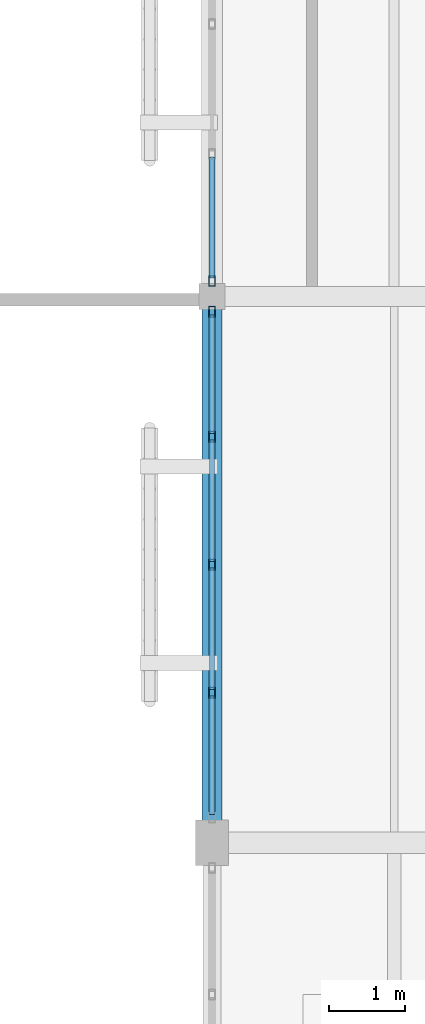
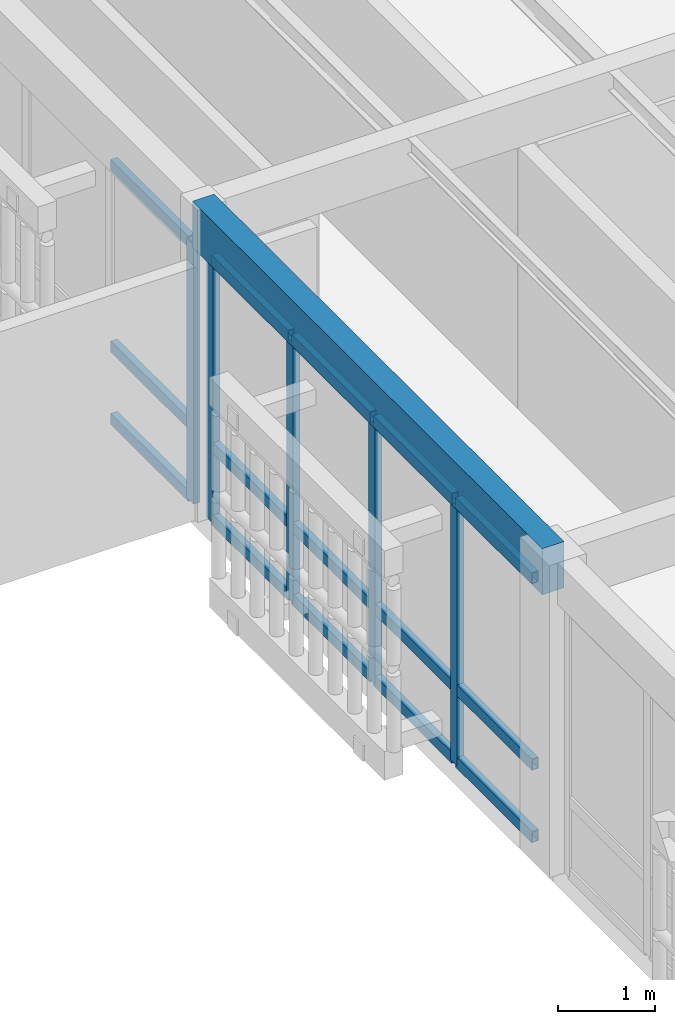
# One storey, part 32 of 112: 20 members, 1 beam, 2 elements without a shape of their own.
"""IFC4 building model written with IfcOpenShell, lengths in metres."""

import ifcopenshell
import ifcopenshell.guid

model = None  # the IFC model being written
_history = None  # IfcOwnerHistory: only IFC2X3 demands one
_inside = {}  # id of a spatial element -> (the spatial element, [elements in it])
_under = {}  # id of a project, library or spatial element -> (it, [spatial elements below it])
_declared = {}  # id of a project -> (the project, [libraries it declares])
_typed = {}  # id of a type object -> (the type object, [elements of that type])
_made_of = {}  # id of a material, layer set ... -> (it, [elements and type objects made of it])


def new_model(schema):
    """Start an empty IFC model of exactly this schema.

    Asked for "IFC4X3", IfcOpenShell would pick the latest addendum, in which some entities
    have other attributes; the version numbers below select the first issue.
    IFC2X3 requires an IfcOwnerHistory on every rooted entity: one is made here for all.
    """
    global model, _history
    if schema == "IFC4X3":
        model = ifcopenshell.file(schema_version=(4, 3, 0, 0))
    else:
        model = ifcopenshell.file(schema=schema)
    _inside.clear()
    _under.clear()
    _declared.clear()
    _typed.clear()
    _made_of.clear()
    _history = None
    if model.schema == "IFC2X3":
        org = make("IfcOrganization", Name="unknown")
        user = make(
            "IfcPersonAndOrganization",
            ThePerson=make("IfcPerson", FamilyName="unknown"),
            TheOrganization=org,
        )
        app = make(
            "IfcApplication",
            ApplicationDeveloper=org,
            Version="unknown",
            ApplicationFullName="unknown",
            ApplicationIdentifier="unknown",
        )
        _history = make(
            "IfcOwnerHistory",
            OwningUser=user,
            OwningApplication=app,
            ChangeAction="ADDED",
            CreationDate=0,
        )
    return model


def make(cls, **values):
    """One entity of the class cls with the attributes given. An attribute that is None is left unset."""
    return model.create_entity(
        cls, **{name: value for name, value in values.items() if value is not None}
    )


def rooted(cls, **values):
    """An entity with a GlobalId (a new one), such as an element, a storey or a relation."""
    return make(cls, GlobalId=ifcopenshell.guid.new(), OwnerHistory=_history, **values)


def si_unit(unit_type, name, prefix=None):
    """IfcSIUnit, for example si_unit("LENGTHUNIT", "METRE", prefix="MILLI")."""
    return make("IfcSIUnit", UnitType=unit_type, Prefix=prefix, Name=name)


def assignment(units):
    """IfcUnitAssignment: the units of a project."""
    return None if units is None else make("IfcUnitAssignment", Units=units)


def point(xyz):
    """IfcCartesianPoint."""
    return None if xyz is None else make("IfcCartesianPoint", Coordinates=xyz)


def direction(xyz):
    """IfcDirection."""
    return None if xyz is None else make("IfcDirection", DirectionRatios=xyz)


def frame(location, z_axis=None, x_axis=None):
    """IfcAxis2Placement3D, a coordinate frame: its origin and axes. An axis left out is left unset."""
    return make(
        "IfcAxis2Placement3D",
        Location=point(location),
        Axis=direction(z_axis),
        RefDirection=direction(x_axis),
    )


def frame_2d(location, x_axis=None):
    """IfcAxis2Placement2D, a coordinate frame in the plane: its origin and x axis."""
    return make(
        "IfcAxis2Placement2D", Location=point(location), RefDirection=direction(x_axis)
    )


def origin():
    """The frame at (0, 0, 0) with its axes left unset."""
    return frame((0.0, 0.0, 0.0))


def origin_2d():
    """The frame at (0, 0) in the plane with its x axis left unset."""
    return frame_2d((0.0, 0.0))


def place(relative_to, where):
    """IfcLocalPlacement: puts the frame where relative to a parent placement (None: the world)."""
    return make(
        "IfcLocalPlacement", PlacementRelTo=relative_to, RelativePlacement=where
    )


def context(
    kind, dimensions, precision=None, world=None, true_north=None, identifier=None
):
    """IfcGeometricRepresentationContext, for example the 3D "Model" context."""
    return make(
        "IfcGeometricRepresentationContext",
        ContextIdentifier=identifier,
        ContextType=kind,
        CoordinateSpaceDimension=dimensions,
        Precision=precision,
        WorldCoordinateSystem=world,
        TrueNorth=true_north,
    )


def subcontext(parent, identifier, kind, view, scale=None):
    """IfcGeometricRepresentationSubContext, for example "Body" below "Model"."""
    return make(
        "IfcGeometricRepresentationSubContext",
        ContextIdentifier=identifier,
        ContextType=kind,
        ParentContext=parent,
        TargetScale=scale,
        TargetView=view,
    )


def project(units=None, contexts=None):
    """IfcProject with its units and contexts."""
    return rooted(
        "IfcProject",
        Name="project",
        RepresentationContexts=contexts,
        UnitsInContext=assignment(units),
    )


def spatial(cls, under=None, at=None, **own):
    """A site, building, storey or space (cls), placed at a placement, below another one or the project."""
    s = rooted(cls, ObjectPlacement=at, **own)
    if under is not None:
        _under.setdefault(under.id(), (under, []))[1].append(s)
    return s


def profile(cls, at=None, kind="AREA", **sizes):
    """A parametric profile (cls). Its sizes go by their IFC names, for example OverallWidth=200.0."""
    return make(cls, ProfileType=kind, Position=at, **sizes)


def rectangle(**sizes):
    """IfcRectangleProfileDef."""
    return profile("IfcRectangleProfileDef", **sizes)


def hollow_rectangle(**sizes):
    """IfcRectangleHollowProfileDef."""
    return profile("IfcRectangleHollowProfileDef", **sizes)


def extrude(swept, where, along, depth):
    """IfcExtrudedAreaSolid: the profile swept, set in the frame where, extruded along a direction by depth."""
    return make(
        "IfcExtrudedAreaSolid",
        SweptArea=swept,
        Position=where,
        ExtrudedDirection=direction(along),
        Depth=depth,
    )


def shape(context_of_items, identifier, shape_type, items):
    """IfcShapeRepresentation: the items that make up one representation, for example the "Body"."""
    return make(
        "IfcShapeRepresentation",
        ContextOfItems=context_of_items,
        RepresentationIdentifier=identifier,
        RepresentationType=shape_type,
        Items=items,
    )


def material(Name=None, Category=None):
    """IfcMaterial."""
    return make("IfcMaterial", Name=Name, Category=Category)


def layer(
    of_material, thickness, ventilated=None, Name=None, Category=None, Priority=None
):
    """IfcMaterialLayer: one layer of a wall or slab, of a material (None: an air gap)."""
    return make(
        "IfcMaterialLayer",
        Material=of_material,
        LayerThickness=thickness,
        IsVentilated=ventilated,
        Name=Name,
        Category=Category,
        Priority=Priority,
    )


def layer_set(layers, Name=None):
    """IfcMaterialLayerSet."""
    return make("IfcMaterialLayerSet", MaterialLayers=layers, LayerSetName=Name)


def material_profile(
    of_material, cross_section, Name=None, Category=None, Priority=None
):
    """IfcMaterialProfile: a cross section and its material."""
    return make(
        "IfcMaterialProfile",
        Name=Name,
        Material=of_material,
        Profile=cross_section,
        Priority=Priority,
        Category=Category,
    )


def profile_set(profiles, Name=None, composite=None):
    """IfcMaterialProfileSet."""
    return make(
        "IfcMaterialProfileSet",
        Name=Name,
        MaterialProfiles=profiles,
        CompositeProfile=composite,
    )


def made_of(thing, what):
    """Note that an element or type object is made of a material, layer set ...; save() writes the relation."""
    if what is not None:
        _made_of.setdefault(what.id(), (what, []))[1].append(thing)
    return thing


def type_object(cls, material=None, **own):
    """A type object (cls), such as IfcWallType, which elements share."""
    return made_of(rooted(cls, **own), material)


def element(
    cls,
    number,
    at=None,
    inside=None,
    cuts=None,
    type_object=None,
    material=None,
    context=None,
    identifier="Body",
    shape_type=None,
    held_by="IfcProductDefinitionShape",
    body=None,
    shapes=None,
    **own,
):
    """One element of the class cls, such as IfcWall. Its Tag is "e" and its number.

    at: its placement. inside: the storey or other place that contains it. cuts: it is an
    opening in that element (IfcRelVoidsElement). A single representation is given by context,
    identifier, shape_type and body (its items); several are given by shapes. held_by: the class
    of the entity that holds the representations. save() writes the other relations.
    """
    e = rooted(cls, Tag="e%d" % number, ObjectPlacement=at, **own)
    if body is not None:
        shapes = [shape(context, identifier, shape_type, body)]
    if shapes is not None:
        e.Representation = make(held_by, Representations=shapes)
    if inside is not None:
        _inside.setdefault(inside.id(), (inside, []))[1].append(e)
    if cuts is not None:
        rooted(
            "IfcRelVoidsElement", RelatingBuildingElement=cuts, RelatedOpeningElement=e
        )
    if type_object is not None:
        _typed.setdefault(type_object.id(), (type_object, []))[1].append(e)
    return made_of(e, material)


def aggregate(whole, parts):
    """IfcRelAggregates: a whole, such as a stair, and the parts it consists of."""
    return rooted("IfcRelAggregates", RelatingObject=whole, RelatedObjects=parts)


def save(model, path):
    """Write the relations noted so far, then the file.

    IfcRelAggregates (storeys below a building ...), IfcRelContainedInSpatialStructure (elements
    in a storey), IfcRelDefinesByType, IfcRelAssociatesMaterial and IfcRelDeclares: one each for
    every whole, place, type object, material and project.
    """
    for whole, parts in _under.values():
        aggregate(whole, parts)
    for where, things in _inside.values():
        rooted(
            "IfcRelContainedInSpatialStructure",
            RelatedElements=things,
            RelatingStructure=where,
        )
    for kind, things in _typed.values():
        rooted("IfcRelDefinesByType", RelatedObjects=things, RelatingType=kind)
    for what, things in _made_of.values():
        rooted("IfcRelAssociatesMaterial", RelatedObjects=things, RelatingMaterial=what)
    for by, libraries in _declared.values():
        rooted("IfcRelDeclares", RelatingContext=by, RelatedDefinitions=libraries)
    model.write(path)


model = new_model("IFC4")

# Units and contexts
model_context = context("Model", 3, precision=1e-05, world=origin(), true_north=direction((0.0, 1.0)))
body_context = subcontext(model_context, "Body", "Model", "MODEL_VIEW")
ifc_project = project(units=[si_unit("LENGTHUNIT", "METRE"), si_unit("AREAUNIT", "SQUARE_METRE"), si_unit("VOLUMEUNIT", "CUBIC_METRE"), si_unit("PLANEANGLEUNIT", "RADIAN"), si_unit("MASSUNIT", "GRAM", prefix="KILO")], contexts=[model_context])

# Site, building, storey
site_placement = place(None, origin())
site = spatial("IfcSite", under=ifc_project, at=site_placement, CompositionType="ELEMENT")
building_placement = place(site_placement, origin())
building = spatial("IfcBuilding", under=site, at=building_placement, Name="Mazaris Harbour Polytechnic", CompositionType="ELEMENT")
storey_placement = place(building_placement, frame((0.0, 0.0, 13.800048828125)))
storey = spatial("IfcBuildingStorey", under=building, at=storey_placement, Name="L03", CompositionType="ELEMENT", Elevation=13.800048828125)

# Curtain wall, members
ifc_material_1 = material(Name="Anodised Bronze Aluminium and Low-E Glass", Category="aluminium")
ifc_layer = layer(ifc_material_1, 0.159912109375, Name="Anodised Bronze Aluminium and Low-E Glass")
ifc_layer_set = layer_set([ifc_layer], Name="Anodised Bronze Aluminium and Low-E Glass")
curtain_wall_type = type_object("IfcCurtainWallType", Name="Cloister Court Curtain Wall", PredefinedType="NOTDEFINED", material=ifc_layer_set)
curtain_wall_1_placement = place(storey_placement, origin())
curtain_wall_1 = element("IfcCurtainWall", 1, at=curtain_wall_1_placement, inside=storey, type_object=curtain_wall_type, Name="V4 L03 Curtain Wall 160", PredefinedType="NOTDEFINED")
ifc_material_2 = material(Name="Anodised Bronze Steel S355", Category="steel")
ifc_material_profile_1 = material_profile(ifc_material_2, hollow_rectangle(XDim=0.080078125, YDim=0.139892578125, WallThickness=0.00634765625, at=origin_2d()), Name="RHS 80x140x6.3")
ifc_profile_set_1 = profile_set([ifc_material_profile_1], Name="Anodised Bronze Steel S355")
member_type_1 = type_object("IfcMemberType", Name="Curtain Mullion RHS80x140", PredefinedType="MULLION", material=ifc_profile_set_1)
member_1_placement = place(storey_placement, frame((28.800048828125, 60.998046875, 0.0), z_axis=(0.0, 0.0, 1.0), x_axis=(1.0, 0.0, 0.0)))
member_1 = element("IfcMember", 2, at=member_1_placement, type_object=member_type_1, Name="CW-02 mullion 1", PredefinedType="MULLION", context=body_context, shape_type="SweptSolid", body=[
    extrude(hollow_rectangle(XDim=0.080078125, YDim=0.139892578125, WallThickness=0.00634765625, at=origin_2d()), origin(), (0.0, 0.0, 1.0), 3.329833984375),
])
member_2_placement = place(storey_placement, frame((28.800048828125, 59.3515625, 0.0), z_axis=(0.0, 0.0, 1.0), x_axis=(1.0, 0.0, 0.0)))
member_2 = element("IfcMember", 3, at=member_2_placement, type_object=member_type_1, Name="CW-02 mullion 2", PredefinedType="MULLION", context=body_context, shape_type="SweptSolid", body=[
    extrude(hollow_rectangle(XDim=0.080078125, YDim=0.139892578125, WallThickness=0.00634765625, at=origin_2d()), origin(), (0.0, 0.0, 1.0), 3.329833984375),
])
member_3_placement = place(storey_placement, frame((28.800048828125, 57.6650390625, 0.0), z_axis=(0.0, 0.0, 1.0), x_axis=(1.0, 0.0, 0.0)))
member_3 = element("IfcMember", 4, at=member_3_placement, type_object=member_type_1, Name="CW-02 mullion 3", PredefinedType="MULLION", context=body_context, shape_type="SweptSolid", body=[
    extrude(hollow_rectangle(XDim=0.080078125, YDim=0.139892578125, WallThickness=0.00634765625, at=origin_2d()), origin(), (0.0, 0.0, 1.0), 3.329833984375),
])
member_4_placement = place(storey_placement, frame((28.800048828125, 55.978515625, 0.0), z_axis=(0.0, 0.0, 1.0), x_axis=(1.0, 0.0, 0.0)))
member_4 = element("IfcMember", 5, at=member_4_placement, type_object=member_type_1, Name="CW-02 mullion 4", PredefinedType="MULLION", context=body_context, shape_type="SweptSolid", body=[
    extrude(hollow_rectangle(XDim=0.080078125, YDim=0.139892578125, WallThickness=0.00634765625, at=origin_2d()), origin(), (0.0, 0.0, 1.0), 3.329833984375),
])

# Curtain wall, member
curtain_wall_2_placement = place(storey_placement, origin())
curtain_wall_2 = element("IfcCurtainWall", 6, at=curtain_wall_2_placement, inside=storey, type_object=curtain_wall_type, Name="V4 L03 Curtain Wall 161", PredefinedType="NOTDEFINED")
member_5_placement = place(storey_placement, frame((28.800048828125, 61.402099609375, 0.0), z_axis=(0.0, 0.0, 1.0), x_axis=(1.0, 0.0, 0.0)))
member_5 = element("IfcMember", 7, at=member_5_placement, type_object=member_type_1, Name="CW-02 mullion 5", PredefinedType="MULLION", context=body_context, shape_type="SweptSolid", body=[
    extrude(hollow_rectangle(XDim=0.080078125, YDim=0.139892578125, WallThickness=0.00634765625, at=origin_2d()), origin(), (0.0, 0.0, 1.0), 3.27001953125),
])

# Member
ifc_material_3 = material(Name="Anodised Bronze Steel S355", Category="steel")
ifc_material_profile_2 = material_profile(ifc_material_3, hollow_rectangle(XDim=0.080078125, YDim=0.139892578125, WallThickness=0.00634765625, at=origin_2d()), Name="RHS 80x140x6.3")
ifc_profile_set_2 = profile_set([ifc_material_profile_2], Name="Anodised Bronze Steel S355")
member_type_2 = type_object("IfcMemberType", Name="Curtain Transom RHS80x140", PredefinedType="USERDEFINED", material=ifc_profile_set_2)
member_6_placement = place(storey_placement, frame((28.800048828125, 60.9580078125, 0.0400390625), z_axis=(0.0, -1.0, 0.0), x_axis=(1.0, 0.0, 0.0)))
member_6 = element("IfcMember", 8, at=member_6_placement, type_object=member_type_2, Name="CW-02 transom 1.1", ObjectType="TRANSOM", PredefinedType="USERDEFINED", context=body_context, shape_type="SweptSolid", body=[
    extrude(hollow_rectangle(XDim=0.080078125, YDim=0.139892578125, WallThickness=0.00634765625, at=origin_2d()), origin(), (0.0, 0.0, 1.0), 1.56640625),
])

member_7_placement = place(storey_placement, frame((28.800048828125, 60.9580078125, 0.949951171875), z_axis=(0.0, -1.0, 0.0), x_axis=(1.0, 0.0, 0.0)))
member_7 = element("IfcMember", 9, at=member_7_placement, type_object=member_type_2, Name="CW-02 transom 1.2", ObjectType="TRANSOM", PredefinedType="USERDEFINED", context=body_context, shape_type="SweptSolid", body=[
    extrude(hollow_rectangle(XDim=0.080078125, YDim=0.139892578125, WallThickness=0.00634765625, at=origin_2d()), origin(), (0.0, 0.0, 1.0), 1.56640625),
])

member_8_placement = place(storey_placement, frame((28.800048828125, 60.9580078125, 3.2900390625), z_axis=(0.0, -1.0, 0.0), x_axis=(1.0, 0.0, 0.0)))
member_8 = element("IfcMember", 10, at=member_8_placement, type_object=member_type_2, Name="CW-02 transom 1.3", ObjectType="TRANSOM", PredefinedType="USERDEFINED", context=body_context, shape_type="SweptSolid", body=[
    extrude(hollow_rectangle(XDim=0.080078125, YDim=0.139892578125, WallThickness=0.00634765625, at=origin_2d()), origin(), (0.0, 0.0, 1.0), 1.56640625),
])

member_9_placement = place(storey_placement, frame((28.800048828125, 59.3115234375, 0.0400390625), z_axis=(0.0, -1.0, 0.0), x_axis=(1.0, 0.0, 0.0)))
member_9 = element("IfcMember", 11, at=member_9_placement, type_object=member_type_2, Name="CW-02 transom 2.1", ObjectType="TRANSOM", PredefinedType="USERDEFINED", context=body_context, shape_type="SweptSolid", body=[
    extrude(hollow_rectangle(XDim=0.080078125, YDim=0.139892578125, WallThickness=0.00634765625, at=origin_2d()), origin(), (0.0, 0.0, 1.0), 1.6064453125),
])

member_10_placement = place(storey_placement, frame((28.800048828125, 59.3115234375, 0.949951171875), z_axis=(0.0, -1.0, 0.0), x_axis=(1.0, 0.0, 0.0)))
member_10 = element("IfcMember", 12, at=member_10_placement, type_object=member_type_2, Name="CW-02 transom 2.2", ObjectType="TRANSOM", PredefinedType="USERDEFINED", context=body_context, shape_type="SweptSolid", body=[
    extrude(hollow_rectangle(XDim=0.080078125, YDim=0.139892578125, WallThickness=0.00634765625, at=origin_2d()), origin(), (0.0, 0.0, 1.0), 1.6064453125),
])

member_11_placement = place(storey_placement, frame((28.800048828125, 59.3115234375, 3.2900390625), z_axis=(0.0, -1.0, 0.0), x_axis=(1.0, 0.0, 0.0)))
member_11 = element("IfcMember", 13, at=member_11_placement, type_object=member_type_2, Name="CW-02 transom 2.3", ObjectType="TRANSOM", PredefinedType="USERDEFINED", context=body_context, shape_type="SweptSolid", body=[
    extrude(hollow_rectangle(XDim=0.080078125, YDim=0.139892578125, WallThickness=0.00634765625, at=origin_2d()), origin(), (0.0, 0.0, 1.0), 1.6064453125),
])

member_12_placement = place(storey_placement, frame((28.800048828125, 57.625, 0.0400390625), z_axis=(0.0, -1.0, 0.0), x_axis=(1.0, 0.0, 0.0)))
member_12 = element("IfcMember", 14, at=member_12_placement, type_object=member_type_2, Name="CW-02 transom 3.1", ObjectType="TRANSOM", PredefinedType="USERDEFINED", context=body_context, shape_type="SweptSolid", body=[
    extrude(hollow_rectangle(XDim=0.080078125, YDim=0.139892578125, WallThickness=0.00634765625, at=origin_2d()), origin(), (0.0, 0.0, 1.0), 1.6064453125),
])

member_13_placement = place(storey_placement, frame((28.800048828125, 57.625, 0.949951171875), z_axis=(0.0, -1.0, 0.0), x_axis=(1.0, 0.0, 0.0)))
member_13 = element("IfcMember", 15, at=member_13_placement, type_object=member_type_2, Name="CW-02 transom 3.2", ObjectType="TRANSOM", PredefinedType="USERDEFINED", context=body_context, shape_type="SweptSolid", body=[
    extrude(hollow_rectangle(XDim=0.080078125, YDim=0.139892578125, WallThickness=0.00634765625, at=origin_2d()), origin(), (0.0, 0.0, 1.0), 1.6064453125),
])

member_14_placement = place(storey_placement, frame((28.800048828125, 57.625, 3.2900390625), z_axis=(0.0, -1.0, 0.0), x_axis=(1.0, 0.0, 0.0)))
member_14 = element("IfcMember", 16, at=member_14_placement, type_object=member_type_2, Name="CW-02 transom 3.3", ObjectType="TRANSOM", PredefinedType="USERDEFINED", context=body_context, shape_type="SweptSolid", body=[
    extrude(hollow_rectangle(XDim=0.080078125, YDim=0.139892578125, WallThickness=0.00634765625, at=origin_2d()), origin(), (0.0, 0.0, 1.0), 1.6064453125),
])

member_15_placement = place(storey_placement, frame((28.800048828125, 55.9384765625, 0.0400390625), z_axis=(0.0, -1.0, 0.0), x_axis=(1.0, 0.0, 0.0)))
member_15 = element("IfcMember", 17, at=member_15_placement, type_object=member_type_2, Name="CW-02 transom 4.1", ObjectType="TRANSOM", PredefinedType="USERDEFINED", context=body_context, shape_type="SweptSolid", body=[
    extrude(hollow_rectangle(XDim=0.080078125, YDim=0.139892578125, WallThickness=0.00634765625, at=origin_2d()), origin(), (0.0, 0.0, 1.0), 1.56640625),
])

member_16_placement = place(storey_placement, frame((28.800048828125, 55.9384765625, 0.949951171875), z_axis=(0.0, -1.0, 0.0), x_axis=(1.0, 0.0, 0.0)))
member_16 = element("IfcMember", 18, at=member_16_placement, type_object=member_type_2, Name="CW-02 transom 4.2", ObjectType="TRANSOM", PredefinedType="USERDEFINED", context=body_context, shape_type="SweptSolid", body=[
    extrude(hollow_rectangle(XDim=0.080078125, YDim=0.139892578125, WallThickness=0.00634765625, at=origin_2d()), origin(), (0.0, 0.0, 1.0), 1.56640625),
])

member_17_placement = place(storey_placement, frame((28.800048828125, 55.9384765625, 3.2900390625), z_axis=(0.0, -1.0, 0.0), x_axis=(1.0, 0.0, 0.0)))
member_17 = element("IfcMember", 19, at=member_17_placement, type_object=member_type_2, Name="CW-02 transom 4.3", ObjectType="TRANSOM", PredefinedType="USERDEFINED", context=body_context, shape_type="SweptSolid", body=[
    extrude(hollow_rectangle(XDim=0.080078125, YDim=0.139892578125, WallThickness=0.00634765625, at=origin_2d()), origin(), (0.0, 0.0, 1.0), 1.56640625),
])

aggregate(curtain_wall_1, [member_1, member_2, member_3, member_4, member_6, member_7, member_8, member_9, member_10, member_11, member_12, member_13, member_14, member_15, member_16, member_17])

member_18_placement = place(storey_placement, frame((28.800048828125, 63.035888671875, 0.0400390625), z_axis=(0.0, -1.0, 0.0), x_axis=(1.0, 0.0, 0.0)))
member_18 = element("IfcMember", 20, at=member_18_placement, type_object=member_type_2, Name="CW-02 transom 4.1", ObjectType="TRANSOM", PredefinedType="USERDEFINED", context=body_context, shape_type="SweptSolid", body=[
    extrude(hollow_rectangle(XDim=0.080078125, YDim=0.139892578125, WallThickness=0.00634765625, at=origin_2d()), origin(), (0.0, 0.0, 1.0), 1.593994140625),
])

member_19_placement = place(storey_placement, frame((28.800048828125, 63.035888671875, 0.949951171875), z_axis=(0.0, -1.0, 0.0), x_axis=(1.0, 0.0, 0.0)))
member_19 = element("IfcMember", 21, at=member_19_placement, type_object=member_type_2, Name="CW-02 transom 4.2", ObjectType="TRANSOM", PredefinedType="USERDEFINED", context=body_context, shape_type="SweptSolid", body=[
    extrude(hollow_rectangle(XDim=0.080078125, YDim=0.139892578125, WallThickness=0.00634765625, at=origin_2d()), origin(), (0.0, 0.0, 1.0), 1.593994140625),
])

member_20_placement = place(storey_placement, frame((28.800048828125, 63.035888671875, 3.22998046875), z_axis=(0.0, -1.0, 0.0), x_axis=(1.0, 0.0, 0.0)))
member_20 = element("IfcMember", 22, at=member_20_placement, type_object=member_type_2, Name="CW-02 transom 4.3", ObjectType="TRANSOM", PredefinedType="USERDEFINED", context=body_context, shape_type="SweptSolid", body=[
    extrude(hollow_rectangle(XDim=0.080078125, YDim=0.139892578125, WallThickness=0.00634765625, at=origin_2d()), origin(), (0.0, 0.0, 1.0), 1.593994140625),
])

aggregate(curtain_wall_2, [member_5, member_18, member_19, member_20])

# Beam
ifc_material_4 = material(Name="Glulam GL32h", Category="wood")
ifc_material_profile_3 = material_profile(ifc_material_4, rectangle(XDim=0.260009765625, YDim=0.580078125, at=origin_2d()), Name="RECT260x580")
ifc_profile_set_3 = profile_set([ifc_material_profile_3], Name="Glulam GL32h")
beam_type = type_object("IfcBeamType", Name="Glulam Girder 260x580", PredefinedType="BEAM", material=ifc_profile_set_3)
beam_placement = place(storey_placement, frame((28.800048828125, 54.0, 3.6298828125), z_axis=(0.0, 1.0, 0.0), x_axis=(-1.0, 0.0, 0.0)))
element("IfcBeam", 23, at=beam_placement, inside=storey, type_object=beam_type, Name="V4 L03 Tie Girder 2256", PredefinedType="BEAM", context=body_context, shape_type="SweptSolid", body=[
    extrude(rectangle(XDim=0.260009765625, YDim=0.580078125, at=origin_2d()), origin(), (0.0, 0.0, 1.0), 7.199951171875),
])

save(model, "model.ifc")
